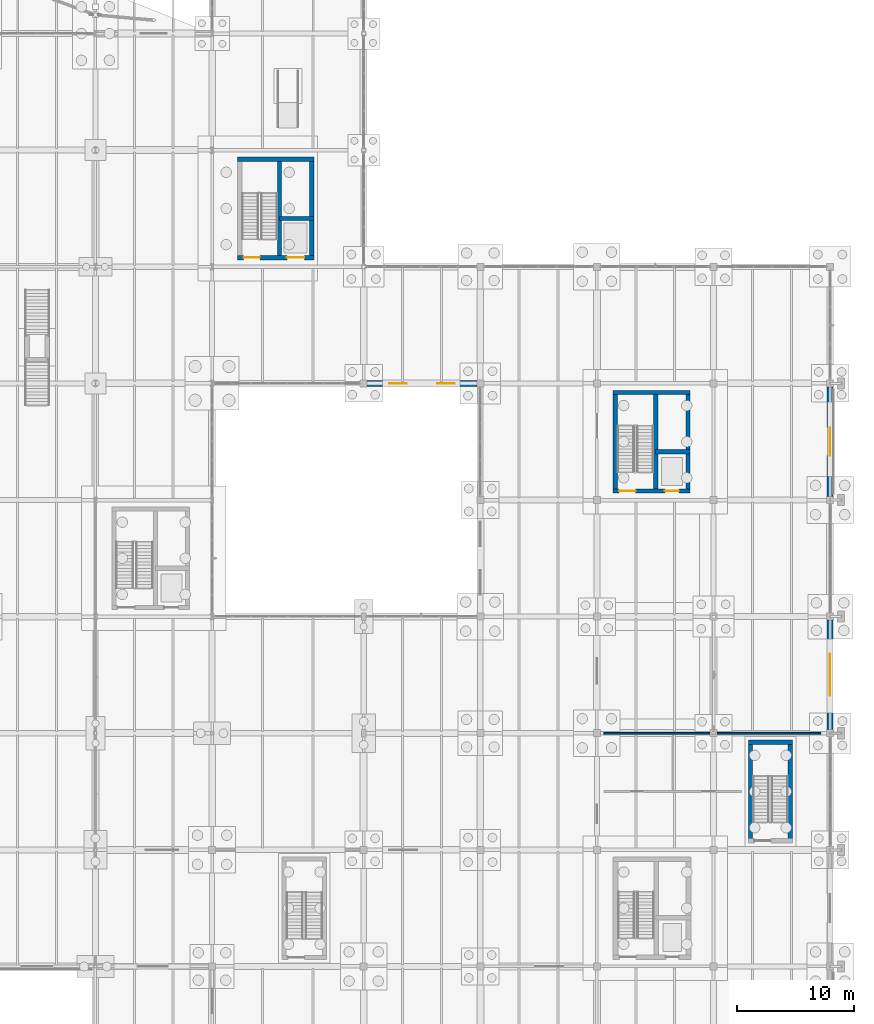
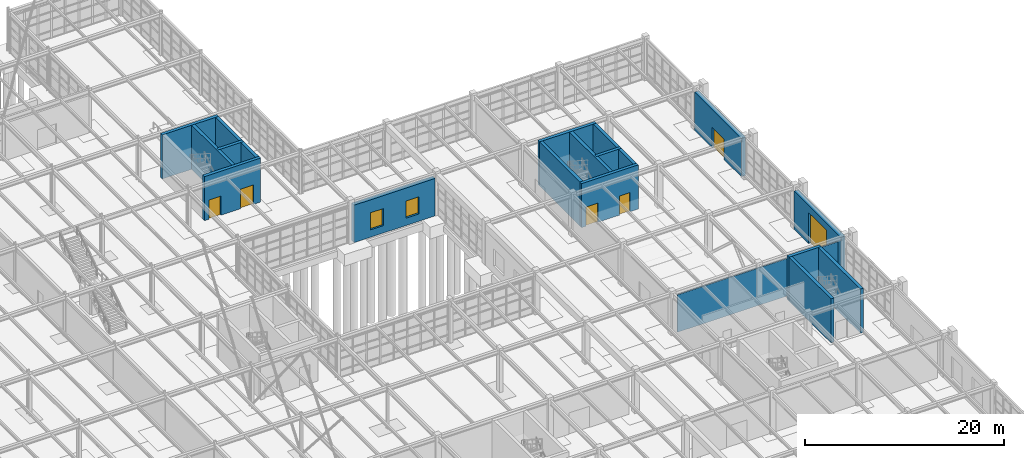
# One storey, part 127 of 145: 18 walls, 6 doors, 2 windows, 8 openings.
"""IFC4 building model written with IfcOpenShell, lengths in metres."""

from ifc_helpers import new_model, si_unit, direction, frame, frame_2d, origin, place, context, subcontext, project, spatial, rectangle, extrude, material, layer, layer_set, type_object, element, fill, save


model = new_model("IFC4")

# Units and contexts
model_context = context("Model", 3, precision=1e-05, world=origin(), true_north=direction((0.0, 1.0)))
body_context = subcontext(model_context, "Body", "Model", "MODEL_VIEW")
ifc_project = project(units=[si_unit("LENGTHUNIT", "METRE"), si_unit("AREAUNIT", "SQUARE_METRE"), si_unit("VOLUMEUNIT", "CUBIC_METRE"), si_unit("PLANEANGLEUNIT", "RADIAN"), si_unit("MASSUNIT", "GRAM", prefix="KILO"), si_unit("THERMODYNAMICTEMPERATUREUNIT", "KELVIN"), si_unit("POWERUNIT", "WATT")], contexts=[model_context])

# Site, building, storey
site_placement = place(None, origin())
site = spatial("IfcSite", under=ifc_project, at=site_placement, CompositionType="ELEMENT")
building_placement = place(site_placement, origin())
building = spatial("IfcBuilding", under=site, at=building_placement, Name="Korenveer Ferry Terminal", CompositionType="ELEMENT")
storey_placement = place(building_placement, origin())
storey = spatial("IfcBuildingStorey", under=building, at=storey_placement, Name="L00", CompositionType="ELEMENT", Elevation=0.0)

# Wall, openings, windows
ifc_material_1 = material(Name="Belgian bluestone plinth masonry", Category="masonry")
ifc_layer_1 = layer(ifc_material_1, 0.5)
ifc_layer_set_1 = layer_set([ifc_layer_1], Name="Belgian bluestone plinth masonry")
wall_type_1 = type_object("IfcWallType", Name="ENV-WL-STN500", PredefinedType="SOLIDWALL", material=ifc_layer_set_1)
wall_1_placement = place(storey_placement, frame((136.300048828125, 70.0, 0.0), z_axis=(0.0, 0.0, 1.0), x_axis=(1.0, 0.0, 0.0)))
wall_1 = element("IfcWall", 1, at=wall_1_placement, inside=storey, type_object=wall_type_1, Name="Exterior facade wall EWL-L00-017", PredefinedType="SOLIDWALL", context=body_context, shape_type="SweptSolid", body=[
    extrude(rectangle(XDim=9.39990234375, YDim=0.5, at=frame_2d((4.699951171875, 0.0))), origin(), (0.0, 0.0, 1.0), 4.590087890625),
])
opening_1_placement = place(wall_1_placement, frame((1.882080078125, 0.0, 0.89990234375)))
opening_1 = element("IfcOpeningElement", 2, at=opening_1_placement, cuts=wall_1, Name="Opening WN-13", PredefinedType="OPENING", context=body_context, shape_type="SweptSolid", body=[
    extrude(rectangle(XDim=1.5, YDim=2.10009765625, at=frame_2d((0.75, 1.050048828125))), frame((0.0, 0.260009765625, 0.0), z_axis=(0.0, -1.0, 0.0), x_axis=(1.0, 0.0, 0.0)), (0.0, 0.0, 1.0), 0.52001953125),
])
opening_2_placement = place(wall_1_placement, frame((6.01806640625, 0.0, 0.89990234375)))
opening_2 = element("IfcOpeningElement", 3, at=opening_2_placement, cuts=wall_1, Name="Opening WN-13", PredefinedType="OPENING", context=body_context, shape_type="SweptSolid", body=[
    extrude(rectangle(XDim=1.5, YDim=2.10009765625, at=frame_2d((0.75, 1.050048828125))), frame((0.0, 0.260009765625, 0.0), z_axis=(0.0, -1.0, 0.0), x_axis=(1.0, 0.0, 0.0)), (0.0, 0.0, 1.0), 0.52001953125),
])
ifc_material_2 = material(Name="Low-iron triple glazing in bronze frame", Category="glass")
window_type = type_object("IfcWindowType", Name="ENV-WN-13", PartitioningType="SINGLE_PANEL", PredefinedType="WINDOW", material=ifc_material_2)
window_1_placement = place(opening_1_placement, origin())
window_1 = element("IfcWindow", 4, at=window_1_placement, inside=storey, type_object=window_type, Name="Lancet facade window 13", OverallHeight=2.10009765625, OverallWidth=1.5, PartitioningType="SINGLE_PANEL", PredefinedType="WINDOW", context=body_context, shape_type="SweptSolid", body=[
    extrude(rectangle(XDim=1.5, YDim=2.10009765625, at=frame_2d((0.75, 1.050048828125))), frame((0.0, 0.030029296875, 0.0), z_axis=(0.0, -1.0, 0.0), x_axis=(1.0, 0.0, 0.0)), (0.0, 0.0, 1.0), 0.06005859375),
])
fill(opening_1, window_1)
window_2_placement = place(opening_2_placement, origin())
window_2 = element("IfcWindow", 5, at=window_2_placement, inside=storey, type_object=window_type, Name="Lancet facade window 14", OverallHeight=2.10009765625, OverallWidth=1.5, PartitioningType="SINGLE_PANEL", PredefinedType="WINDOW", context=body_context, shape_type="SweptSolid", body=[
    extrude(rectangle(XDim=1.5, YDim=2.10009765625, at=frame_2d((0.75, 1.050048828125))), frame((0.0, 0.030029296875, 0.0), z_axis=(0.0, -1.0, 0.0), x_axis=(1.0, 0.0, 0.0)), (0.0, 0.0, 1.0), 0.06005859375),
])
fill(opening_2, window_2)

# Wall, opening, door
wall_2_placement = place(storey_placement, frame((176.0, 49.699951171875, 0.0), z_axis=(0.0, 0.0, 1.0), x_axis=(0.0, -1.0, 0.0)))
wall_2 = element("IfcWall", 6, at=wall_2_placement, inside=storey, type_object=wall_type_1, Name="Exterior facade wall EWL-L00-033", PredefinedType="SOLIDWALL", context=body_context, shape_type="SweptSolid", body=[
    extrude(rectangle(XDim=9.39990234375, YDim=0.5, at=frame_2d((4.699951171875, 0.0))), origin(), (0.0, 0.0, 1.0), 4.68994140625),
])
opening_3_placement = place(wall_2_placement, frame((2.89990234375, 0.0, 0.0)))
opening_3 = element("IfcOpeningElement", 7, at=opening_3_placement, cuts=wall_2, Name="Opening VG6", PredefinedType="OPENING", context=body_context, shape_type="SweptSolid", body=[
    extrude(rectangle(XDim=3.60009765625, YDim=3.800048828125, at=frame_2d((1.800048828125, 1.89990234375))), frame((0.0, 0.260009765625, 0.0), z_axis=(0.0, -1.0, 0.0), x_axis=(1.0, 0.0, 0.0)), (0.0, 0.0, 1.0), 0.52001953125),
])
ifc_material_3 = material(Name="Insulated marine steel shutter", Category="steel")
door_type_1 = type_object("IfcDoorType", Name="ENV-DR-SHT360", OperationType="ROLLINGUP", PredefinedType="USERDEFINED", material=ifc_material_3)
door_1_placement = place(opening_3_placement, origin())
door_1 = element("IfcDoor", 8, at=door_1_placement, inside=storey, type_object=door_type_1, Name="East Provisioning Service Shutter VG6", ObjectType="VEHICLE SHUTTER", OperationType="ROLLINGUP", OverallHeight=3.800048828125, OverallWidth=3.60009765625, PredefinedType="USERDEFINED", context=body_context, shape_type="SweptSolid", body=[
    extrude(rectangle(XDim=3.60009765625, YDim=3.800048828125, at=frame_2d((1.800048828125, 1.89990234375))), frame((0.0, 0.02490234375, 0.0), z_axis=(0.0, -1.0, 0.0), x_axis=(1.0, 0.0, 0.0)), (0.0, 0.0, 1.0), 0.050048828125),
])
fill(opening_3, door_1)

wall_3_placement = place(storey_placement, frame((176.0, 69.699951171875, 0.0), z_axis=(0.0, 0.0, 1.0), x_axis=(0.0, -1.0, 0.0)))
wall_3 = element("IfcWall", 9, at=wall_3_placement, inside=storey, type_object=wall_type_1, Name="Exterior facade wall EWL-L00-034", PredefinedType="SOLIDWALL", context=body_context, shape_type="SweptSolid", body=[
    extrude(rectangle(XDim=9.39990234375, YDim=0.5, at=frame_2d((4.699951171875, 0.0))), origin(), (0.0, 0.0, 1.0), 4.68994140625),
])
opening_4_placement = place(wall_3_placement, frame((3.5, 0.0, 0.0)))
opening_4 = element("IfcOpeningElement", 10, at=opening_4_placement, cuts=wall_3, Name="Opening E12", PredefinedType="OPENING", context=body_context, shape_type="SweptSolid", body=[
    extrude(rectangle(XDim=2.39990234375, YDim=2.5, at=frame_2d((1.199951171875, 1.25))), frame((0.0, 0.260009765625, 0.0), z_axis=(0.0, -1.0, 0.0), x_axis=(1.0, 0.0, 0.0)), (0.0, 0.0, 1.0), 0.52001953125),
])
ifc_material_4 = material(Name="Thermally broken bronze glazed door", Category="aluminium")
door_type_2 = type_object("IfcDoorType", Name="ENV-DR-EXIT240", OperationType="DOUBLE_DOOR_SINGLE_SWING", PredefinedType="DOOR", material=ifc_material_4)
door_2_placement = place(opening_4_placement, origin())
door_2 = element("IfcDoor", 11, at=door_2_placement, inside=storey, type_object=door_type_2, Name="East Cloister North Final Exit E12", OperationType="DOUBLE_DOOR_SINGLE_SWING", OverallHeight=2.5, OverallWidth=2.39990234375, PredefinedType="DOOR", context=body_context, shape_type="SweptSolid", body=[
    extrude(rectangle(XDim=2.39990234375, YDim=2.5, at=frame_2d((1.199951171875, 1.25))), frame((0.0, 0.02490234375, 0.0), z_axis=(0.0, -1.0, 0.0), x_axis=(1.0, 0.0, 0.0)), (0.0, 0.0, 1.0), 0.050048828125),
])
fill(opening_4, door_2)

# Wall, openings, doors
ifc_material_5 = material(Name="Concrete C45/55", Category="concrete")
ifc_layer_2 = layer(ifc_material_5, 0.360107421875)
ifc_layer_set_2 = layer_set([ifc_layer_2], Name="Concrete C45/55")
wall_type_2 = type_object("IfcWallType", Name="INT-WL-CORE360", PredefinedType="SHEAR", material=ifc_layer_set_2)
wall_4_placement = place(storey_placement, frame((157.39990234375, 60.780029296875, 0.0), z_axis=(0.0, 0.0, 1.0), x_axis=(1.0, 0.0, 0.0)))
wall_4 = element("IfcWall", 12, at=wall_4_placement, inside=storey, type_object=wall_type_2, Name="East Schengen Core K4 south shear wall L00", PredefinedType="SHEAR", context=body_context, shape_type="SweptSolid", body=[
    extrude(rectangle(XDim=6.580078125, YDim=0.360107421875, at=frame_2d((3.2900390625, 0.0))), origin(), (0.0, 0.0, 1.0), 5.39990234375),
])
opening_5_placement = place(wall_4_placement, frame((0.510009765625, 0.0, 0.0)))
opening_5 = element("IfcOpeningElement", 13, at=opening_5_placement, cuts=wall_4, Name="Opening SD-14", PredefinedType="OPENING", context=body_context, shape_type="SweptSolid", body=[
    extrude(rectangle(XDim=1.39990234375, YDim=2.35009765625, at=frame_2d((0.699951171875, 1.175048828125))), frame((0.0, 0.18994140625, 0.0), z_axis=(0.0, -1.0, 0.0), x_axis=(1.0, 0.0, 0.0)), (0.0, 0.0, 1.0), 0.380126953125),
])
opening_6_placement = place(wall_4_placement, frame((4.419921875, 0.0, 0.0)))
opening_6 = element("IfcOpeningElement", 14, at=opening_6_placement, cuts=wall_4, Name="Opening LD-14", PredefinedType="OPENING", context=body_context, shape_type="SweptSolid", body=[
    extrude(rectangle(XDim=1.199951171875, YDim=2.35009765625, at=frame_2d((0.60009765625, 1.175048828125))), frame((0.0, 0.18994140625, 0.0), z_axis=(0.0, -1.0, 0.0), x_axis=(1.0, 0.0, 0.0)), (0.0, 0.0, 1.0), 0.380126953125),
])
ifc_material_6 = material(Name="Solid hardwood and steel acoustic door", Category="steel")
door_type_3 = type_object("IfcDoorType", Name="INT-DR-LD120", OperationType="SLIDING_TO_LEFT", PredefinedType="DOOR", material=ifc_material_6)
door_3_placement = place(opening_6_placement, origin())
door_3 = element("IfcDoor", 15, at=door_3_placement, inside=storey, type_object=door_type_3, Name="Lift LP2 Sliding Landing Door L00", OperationType="SLIDING_TO_LEFT", OverallHeight=2.35009765625, OverallWidth=1.199951171875, PredefinedType="DOOR", context=body_context, shape_type="SweptSolid", body=[
    extrude(rectangle(XDim=1.199951171875, YDim=2.35009765625, at=frame_2d((0.60009765625, 1.175048828125))), frame((0.0, 0.02490234375, 0.0), z_axis=(0.0, -1.0, 0.0), x_axis=(1.0, 0.0, 0.0)), (0.0, 0.0, 1.0), 0.050048828125),
])
fill(opening_6, door_3)
door_type_4 = type_object("IfcDoorType", Name="INT-DR-ST140", OperationType="NOTDEFINED", PredefinedType="DOOR", material=ifc_material_6)
door_4_placement = place(opening_5_placement, origin())
door_4 = element("IfcDoor", 16, at=door_4_placement, inside=storey, type_object=door_type_4, Name="ST04 Stair Door L00", OperationType="SINGLE_SWING_RIGHT", OverallHeight=2.35009765625, OverallWidth=1.39990234375, PredefinedType="DOOR", context=body_context, shape_type="SweptSolid", body=[
    extrude(rectangle(XDim=1.39990234375, YDim=2.35009765625, at=frame_2d((0.699951171875, 1.175048828125))), frame((0.0, 0.02490234375, 0.0), z_axis=(0.0, -1.0, 0.0), x_axis=(1.0, 0.0, 0.0)), (0.0, 0.0, 1.0), 0.050048828125),
])
fill(opening_5, door_4)

# Walls
wall_5_placement = place(storey_placement, frame((157.39990234375, 69.219970703125, 0.0), z_axis=(0.0, 0.0, 1.0), x_axis=(1.0, 0.0, 0.0)))
element("IfcWall", 17, at=wall_5_placement, inside=storey, type_object=wall_type_2, Name="East Schengen Core K4 north shear wall L00", PredefinedType="SHEAR", context=body_context, shape_type="SweptSolid", body=[
    extrude(rectangle(XDim=6.580078125, YDim=0.360107421875, at=frame_2d((3.2900390625, 0.0))), origin(), (0.0, 0.0, 1.0), 5.39990234375),
])
for number, where, z_axis, x_axis, name in (
    (18, (157.580078125, 60.60009765625, 0.0), (0.0, 0.0, 1.0), (0.0, 1.0, 0.0), "East Schengen Core K4 west shear wall L00"),
    (19, (163.800048828125, 60.60009765625, 0.0), (0.0, 0.0, 1.0), (0.0, 1.0, 0.0), "East Schengen Core K4 east shear wall L00"),
    (20, (161.0400390625, 60.60009765625, 0.0), (0.0, 0.0, 1.0), (0.0, 1.0, 0.0), "East Schengen Core K4 shaft divider wall L00"),
):
    element("IfcWall", number, at=place(storey_placement, frame(where, z_axis=z_axis, x_axis=x_axis)), inside=storey, type_object=wall_type_2, Name=name, PredefinedType="SHEAR", context=body_context, shape_type="SweptSolid", body=[
        extrude(rectangle(XDim=8.7998046875, YDim=0.360107421875, at=frame_2d((4.39990234375, 0.0))), origin(), (0.0, 0.0, 1.0), 5.39990234375),
    ])
wall_6_placement = place(storey_placement, frame((161.0400390625, 64.139892578125, 0.0), z_axis=(0.0, 0.0, 1.0), x_axis=(1.0, 0.0, 0.0)))
element("IfcWall", 21, at=wall_6_placement, inside=storey, type_object=wall_type_2, Name="East Schengen Core K4 lift shaft wall L00", PredefinedType="SHEAR", context=body_context, shape_type="SweptSolid", body=[
    extrude(rectangle(XDim=2.93994140625, YDim=0.360107421875, at=frame_2d((1.469970703125, 0.0))), origin(), (0.0, 0.0, 1.0), 5.39990234375),
])

# Wall, openings, doors
wall_7_placement = place(storey_placement, frame((125.199951171875, 80.780029296875, 0.0), z_axis=(0.0, 0.0, 1.0), x_axis=(1.0, 0.0, 0.0)))
wall_7 = element("IfcWall", 22, at=wall_7_placement, inside=storey, type_object=wall_type_2, Name="East Berth Pier Core K8 south shear wall L00", PredefinedType="SHEAR", context=body_context, shape_type="SweptSolid", body=[
    extrude(rectangle(XDim=6.52001953125, YDim=0.360107421875, at=frame_2d((3.260009765625, 0.0))), origin(), (0.0, 0.0, 1.0), 5.39990234375),
])
opening_7_placement = place(wall_7_placement, frame((0.510009765625, 0.0, 0.0)))
opening_7 = element("IfcOpeningElement", 23, at=opening_7_placement, cuts=wall_7, Name="Opening SD-26", PredefinedType="OPENING", context=body_context, shape_type="SweptSolid", body=[
    extrude(rectangle(XDim=1.39990234375, YDim=2.35009765625, at=frame_2d((0.699951171875, 1.175048828125))), frame((0.0, 0.18994140625, 0.0), z_axis=(0.0, -1.0, 0.0), x_axis=(1.0, 0.0, 0.0)), (0.0, 0.0, 1.0), 0.380126953125),
])
opening_8_placement = place(wall_7_placement, frame((4.2099609375, 0.0, 0.0)))
opening_8 = element("IfcOpeningElement", 24, at=opening_8_placement, cuts=wall_7, Name="Opening LD-26", PredefinedType="OPENING", context=body_context, shape_type="SweptSolid", body=[
    extrude(rectangle(XDim=1.5, YDim=2.39990234375, at=frame_2d((0.75, 1.199951171875))), frame((0.0, 0.18994140625, 0.0), z_axis=(0.0, -1.0, 0.0), x_axis=(1.0, 0.0, 0.0)), (0.0, 0.0, 1.0), 0.380126953125),
])
door_type_5 = type_object("IfcDoorType", Name="INT-DR-LD150", OperationType="SLIDING_TO_LEFT", PredefinedType="DOOR", material=ifc_material_6)
door_5_placement = place(opening_8_placement, origin())
door_5 = element("IfcDoor", 25, at=door_5_placement, inside=storey, type_object=door_type_5, Name="Lift LG2 Sliding Landing Door L00", OperationType="SLIDING_TO_LEFT", OverallHeight=2.39990234375, OverallWidth=1.5, PredefinedType="DOOR", context=body_context, shape_type="SweptSolid", body=[
    extrude(rectangle(XDim=1.5, YDim=2.39990234375, at=frame_2d((0.75, 1.199951171875))), frame((0.0, 0.02490234375, 0.0), z_axis=(0.0, -1.0, 0.0), x_axis=(1.0, 0.0, 0.0)), (0.0, 0.0, 1.0), 0.050048828125),
])
fill(opening_8, door_5)
door_6_placement = place(opening_7_placement, origin())
door_6 = element("IfcDoor", 26, at=door_6_placement, inside=storey, type_object=door_type_4, Name="ST08 Stair Door L00", OperationType="SINGLE_SWING_RIGHT", OverallHeight=2.35009765625, OverallWidth=1.39990234375, PredefinedType="DOOR", context=body_context, shape_type="SweptSolid", body=[
    extrude(rectangle(XDim=1.39990234375, YDim=2.35009765625, at=frame_2d((0.699951171875, 1.175048828125))), frame((0.0, 0.02490234375, 0.0), z_axis=(0.0, -1.0, 0.0), x_axis=(1.0, 0.0, 0.0)), (0.0, 0.0, 1.0), 0.050048828125),
])
fill(opening_7, door_6)

# Walls
wall_8_placement = place(storey_placement, frame((125.199951171875, 89.219970703125, 0.0), z_axis=(0.0, 0.0, 1.0), x_axis=(1.0, 0.0, 0.0)))
element("IfcWall", 27, at=wall_8_placement, inside=storey, type_object=wall_type_2, Name="East Berth Pier Core K8 north shear wall L00", PredefinedType="SHEAR", context=body_context, shape_type="SweptSolid", body=[
    extrude(rectangle(XDim=6.52001953125, YDim=0.360107421875, at=frame_2d((3.260009765625, 0.0))), origin(), (0.0, 0.0, 1.0), 5.39990234375),
])
for number, where, z_axis, x_axis, name in (
    (28, (131.5400390625, 80.60009765625, 0.0), (0.0, 0.0, 1.0), (0.0, 1.0, 0.0), "East Berth Pier Core K8 east shear wall L00"),
    (29, (128.780029296875, 80.60009765625, 0.0), (0.0, 0.0, 1.0), (0.0, 1.0, 0.0), "East Berth Pier Core K8 shaft divider wall L00"),
):
    element("IfcWall", number, at=place(storey_placement, frame(where, z_axis=z_axis, x_axis=x_axis)), inside=storey, type_object=wall_type_2, Name=name, PredefinedType="SHEAR", context=body_context, shape_type="SweptSolid", body=[
        extrude(rectangle(XDim=8.7998046875, YDim=0.360107421875, at=frame_2d((4.39990234375, 0.0))), origin(), (0.0, 0.0, 1.0), 5.39990234375),
    ])
wall_9_placement = place(storey_placement, frame((128.780029296875, 84.139892578125, 0.0), z_axis=(0.0, 0.0, 1.0), x_axis=(1.0, 0.0, 0.0)))
element("IfcWall", 30, at=wall_9_placement, inside=storey, type_object=wall_type_2, Name="East Berth Pier Core K8 lift shaft wall L00", PredefinedType="SHEAR", context=body_context, shape_type="SweptSolid", body=[
    extrude(rectangle(XDim=2.93994140625, YDim=0.360107421875, at=frame_2d((1.469970703125, 0.0))), origin(), (0.0, 0.0, 1.0), 5.39990234375),
])
wall_10_placement = place(storey_placement, frame((169.0, 39.219970703125, 0.0), z_axis=(0.0, 0.0, 1.0), x_axis=(1.0, 0.0, 0.0)))
element("IfcWall", 31, at=wall_10_placement, inside=storey, type_object=wall_type_2, Name="Schengen South Stair Core K12 north shear wall L00", PredefinedType="SHEAR", context=body_context, shape_type="SweptSolid", body=[
    extrude(rectangle(XDim=3.760009765625, YDim=0.360107421875, at=frame_2d((1.8798828125, 0.0))), origin(), (0.0, 0.0, 1.0), 5.39990234375),
])
for number, where, z_axis, x_axis, name in (
    (32, (169.179931640625, 30.60009765625, 0.0), (0.0, 0.0, 1.0), (0.0, 1.0, 0.0), "Schengen South Stair Core K12 west shear wall L00"),
    (33, (172.580078125, 30.60009765625, 0.0), (0.0, 0.0, 1.0), (0.0, 1.0, 0.0), "Schengen South Stair Core K12 east shear wall L00"),
):
    element("IfcWall", number, at=place(storey_placement, frame(where, z_axis=z_axis, x_axis=x_axis)), inside=storey, type_object=wall_type_2, Name=name, PredefinedType="SHEAR", context=body_context, shape_type="SweptSolid", body=[
        extrude(rectangle(XDim=8.7998046875, YDim=0.360107421875, at=frame_2d((4.39990234375, 0.0))), origin(), (0.0, 0.0, 1.0), 5.39990234375),
    ])
ifc_material_7 = material(Name="Acoustic gypsum board stud partition", Category="other")
ifc_layer_3 = layer(ifc_material_7, 0.14990234375)
ifc_layer_set_3 = layer_set([ifc_layer_3], Name="Acoustic gypsum board stud partition")
wall_type_3 = type_object("IfcWallType", Name="INT-WL-PART150", PredefinedType="PARTITIONING", material=ifc_layer_set_3)
wall_11_placement = place(storey_placement, frame((156.60009765625, 40.0, 0.0), z_axis=(0.0, 0.0, 1.0), x_axis=(1.0, 0.0, 0.0)))
element("IfcWall", 34, at=wall_11_placement, inside=storey, type_object=wall_type_3, Name="Interior partition PWL-L00-022", PredefinedType="PARTITIONING", context=body_context, shape_type="SweptSolid", body=[
    extrude(rectangle(XDim=18.599853515625, YDim=0.14990234375, at=frame_2d((9.2998046875, 0.0))), origin(), (0.0, 0.0, 1.0), 4.590087890625),
])

save(model, "model.ifc")
